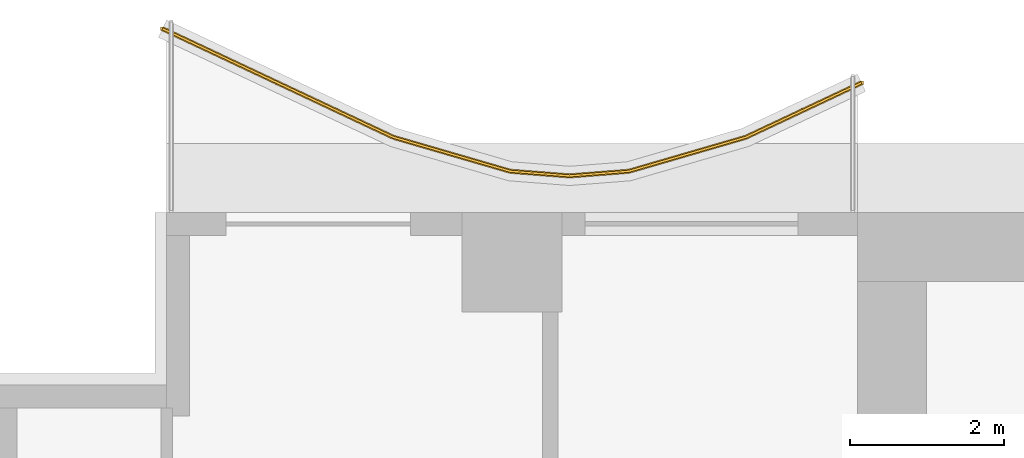
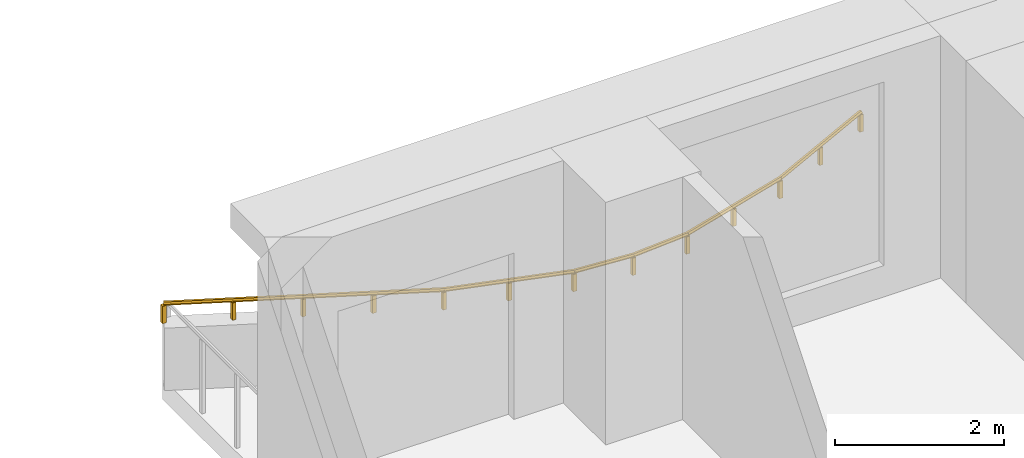
# One storey, part 12 of 13: 1 railing.
"""IFC4 building model written with IfcOpenShell, lengths in metres."""

import ifcopenshell
import ifcopenshell.guid

model = None  # the IFC model being written
_history = None  # IfcOwnerHistory: only IFC2X3 demands one
_inside = {}  # id of a spatial element -> (the spatial element, [elements in it])
_under = {}  # id of a project, library or spatial element -> (it, [spatial elements below it])
_declared = {}  # id of a project -> (the project, [libraries it declares])
_typed = {}  # id of a type object -> (the type object, [elements of that type])
_made_of = {}  # id of a material, layer set ... -> (it, [elements and type objects made of it])


def new_model(schema):
    """Start an empty IFC model of exactly this schema.

    Asked for "IFC4X3", IfcOpenShell would pick the latest addendum, in which some entities
    have other attributes; the version numbers below select the first issue.
    IFC2X3 requires an IfcOwnerHistory on every rooted entity: one is made here for all.
    """
    global model, _history
    if schema == "IFC4X3":
        model = ifcopenshell.file(schema_version=(4, 3, 0, 0))
    else:
        model = ifcopenshell.file(schema=schema)
    _inside.clear()
    _under.clear()
    _declared.clear()
    _typed.clear()
    _made_of.clear()
    _history = None
    if model.schema == "IFC2X3":
        org = make("IfcOrganization", Name="unknown")
        user = make(
            "IfcPersonAndOrganization",
            ThePerson=make("IfcPerson", FamilyName="unknown"),
            TheOrganization=org,
        )
        app = make(
            "IfcApplication",
            ApplicationDeveloper=org,
            Version="unknown",
            ApplicationFullName="unknown",
            ApplicationIdentifier="unknown",
        )
        _history = make(
            "IfcOwnerHistory",
            OwningUser=user,
            OwningApplication=app,
            ChangeAction="ADDED",
            CreationDate=0,
        )
    return model


def make(cls, **values):
    """One entity of the class cls with the attributes given. An attribute that is None is left unset."""
    return model.create_entity(
        cls, **{name: value for name, value in values.items() if value is not None}
    )


def rooted(cls, **values):
    """An entity with a GlobalId (a new one), such as an element, a storey or a relation."""
    return make(cls, GlobalId=ifcopenshell.guid.new(), OwnerHistory=_history, **values)


def si_unit(unit_type, name, prefix=None):
    """IfcSIUnit, for example si_unit("LENGTHUNIT", "METRE", prefix="MILLI")."""
    return make("IfcSIUnit", UnitType=unit_type, Prefix=prefix, Name=name)


def assignment(units):
    """IfcUnitAssignment: the units of a project."""
    return None if units is None else make("IfcUnitAssignment", Units=units)


def point(xyz):
    """IfcCartesianPoint."""
    return None if xyz is None else make("IfcCartesianPoint", Coordinates=xyz)


def direction(xyz):
    """IfcDirection."""
    return None if xyz is None else make("IfcDirection", DirectionRatios=xyz)


def frame(location, z_axis=None, x_axis=None):
    """IfcAxis2Placement3D, a coordinate frame: its origin and axes. An axis left out is left unset."""
    return make(
        "IfcAxis2Placement3D",
        Location=point(location),
        Axis=direction(z_axis),
        RefDirection=direction(x_axis),
    )


def frame_2d(location, x_axis=None):
    """IfcAxis2Placement2D, a coordinate frame in the plane: its origin and x axis."""
    return make(
        "IfcAxis2Placement2D", Location=point(location), RefDirection=direction(x_axis)
    )


def origin():
    """The frame at (0, 0, 0) with its axes left unset."""
    return frame((0.0, 0.0, 0.0))


def origin_2d():
    """The frame at (0, 0) in the plane with its x axis left unset."""
    return frame_2d((0.0, 0.0))


def place(relative_to, where):
    """IfcLocalPlacement: puts the frame where relative to a parent placement (None: the world)."""
    return make(
        "IfcLocalPlacement", PlacementRelTo=relative_to, RelativePlacement=where
    )


def context(
    kind, dimensions, precision=None, world=None, true_north=None, identifier=None
):
    """IfcGeometricRepresentationContext, for example the 3D "Model" context."""
    return make(
        "IfcGeometricRepresentationContext",
        ContextIdentifier=identifier,
        ContextType=kind,
        CoordinateSpaceDimension=dimensions,
        Precision=precision,
        WorldCoordinateSystem=world,
        TrueNorth=true_north,
    )


def subcontext(parent, identifier, kind, view, scale=None):
    """IfcGeometricRepresentationSubContext, for example "Body" below "Model"."""
    return make(
        "IfcGeometricRepresentationSubContext",
        ContextIdentifier=identifier,
        ContextType=kind,
        ParentContext=parent,
        TargetScale=scale,
        TargetView=view,
    )


def project(units=None, contexts=None):
    """IfcProject with its units and contexts."""
    return rooted(
        "IfcProject",
        Name="project",
        RepresentationContexts=contexts,
        UnitsInContext=assignment(units),
    )


def spatial(cls, under=None, at=None, **own):
    """A site, building, storey or space (cls), placed at a placement, below another one or the project."""
    s = rooted(cls, ObjectPlacement=at, **own)
    if under is not None:
        _under.setdefault(under.id(), (under, []))[1].append(s)
    return s


def polyline(points):
    """IfcPolyline through the points."""
    return make("IfcPolyline", Points=[point(p) for p in points])


def profile(cls, at=None, kind="AREA", **sizes):
    """A parametric profile (cls). Its sizes go by their IFC names, for example OverallWidth=200.0."""
    return make(cls, ProfileType=kind, Position=at, **sizes)


def rectangle(**sizes):
    """IfcRectangleProfileDef."""
    return profile("IfcRectangleProfileDef", **sizes)


def outline(outer, holes=None, kind="AREA"):
    """IfcArbitraryClosedProfileDef: a profile drawn as a closed curve; with holes, ...WithVoids."""
    if holes is None:
        return make("IfcArbitraryClosedProfileDef", ProfileType=kind, OuterCurve=outer)
    return make(
        "IfcArbitraryProfileDefWithVoids",
        ProfileType=kind,
        OuterCurve=outer,
        InnerCurves=holes,
    )


def extrude(swept, where, along, depth):
    """IfcExtrudedAreaSolid: the profile swept, set in the frame where, extruded along a direction by depth."""
    return make(
        "IfcExtrudedAreaSolid",
        SweptArea=swept,
        Position=where,
        ExtrudedDirection=direction(along),
        Depth=depth,
    )


def shape(context_of_items, identifier, shape_type, items):
    """IfcShapeRepresentation: the items that make up one representation, for example the "Body"."""
    return make(
        "IfcShapeRepresentation",
        ContextOfItems=context_of_items,
        RepresentationIdentifier=identifier,
        RepresentationType=shape_type,
        Items=items,
    )


def material(Name=None, Category=None):
    """IfcMaterial."""
    return make("IfcMaterial", Name=Name, Category=Category)


def made_of(thing, what):
    """Note that an element or type object is made of a material, layer set ...; save() writes the relation."""
    if what is not None:
        _made_of.setdefault(what.id(), (what, []))[1].append(thing)
    return thing


def type_object(cls, material=None, **own):
    """A type object (cls), such as IfcWallType, which elements share."""
    return made_of(rooted(cls, **own), material)


def element(
    cls,
    number,
    at=None,
    inside=None,
    cuts=None,
    type_object=None,
    material=None,
    context=None,
    identifier="Body",
    shape_type=None,
    held_by="IfcProductDefinitionShape",
    body=None,
    shapes=None,
    **own,
):
    """One element of the class cls, such as IfcWall. Its Tag is "e" and its number.

    at: its placement. inside: the storey or other place that contains it. cuts: it is an
    opening in that element (IfcRelVoidsElement). A single representation is given by context,
    identifier, shape_type and body (its items); several are given by shapes. held_by: the class
    of the entity that holds the representations. save() writes the other relations.
    """
    e = rooted(cls, Tag="e%d" % number, ObjectPlacement=at, **own)
    if body is not None:
        shapes = [shape(context, identifier, shape_type, body)]
    if shapes is not None:
        e.Representation = make(held_by, Representations=shapes)
    if inside is not None:
        _inside.setdefault(inside.id(), (inside, []))[1].append(e)
    if cuts is not None:
        rooted(
            "IfcRelVoidsElement", RelatingBuildingElement=cuts, RelatedOpeningElement=e
        )
    if type_object is not None:
        _typed.setdefault(type_object.id(), (type_object, []))[1].append(e)
    return made_of(e, material)


def aggregate(whole, parts):
    """IfcRelAggregates: a whole, such as a stair, and the parts it consists of."""
    return rooted("IfcRelAggregates", RelatingObject=whole, RelatedObjects=parts)


def save(model, path):
    """Write the relations noted so far, then the file.

    IfcRelAggregates (storeys below a building ...), IfcRelContainedInSpatialStructure (elements
    in a storey), IfcRelDefinesByType, IfcRelAssociatesMaterial and IfcRelDeclares: one each for
    every whole, place, type object, material and project.
    """
    for whole, parts in _under.values():
        aggregate(whole, parts)
    for where, things in _inside.values():
        rooted(
            "IfcRelContainedInSpatialStructure",
            RelatedElements=things,
            RelatingStructure=where,
        )
    for kind, things in _typed.values():
        rooted("IfcRelDefinesByType", RelatedObjects=things, RelatingType=kind)
    for what, things in _made_of.values():
        rooted("IfcRelAssociatesMaterial", RelatedObjects=things, RelatingMaterial=what)
    for by, libraries in _declared.values():
        rooted("IfcRelDeclares", RelatingContext=by, RelatedDefinitions=libraries)
    model.write(path)


model = new_model("IFC4")

# Units and contexts
model_context = context("Model", 3, precision=1e-05, world=origin(), true_north=direction((0.0, 1.0)))
body_context = subcontext(model_context, "Body", "Model", "MODEL_VIEW")
ifc_project = project(units=[si_unit("LENGTHUNIT", "METRE"), si_unit("AREAUNIT", "SQUARE_METRE"), si_unit("VOLUMEUNIT", "CUBIC_METRE"), si_unit("PLANEANGLEUNIT", "RADIAN"), si_unit("MASSUNIT", "GRAM", prefix="KILO")], contexts=[model_context])

# Site, building, storey
site_placement = place(None, origin())
site = spatial("IfcSite", under=ifc_project, at=site_placement, CompositionType="ELEMENT")
building_placement = place(site_placement, origin())
building = spatial("IfcBuilding", under=site, at=building_placement, Name="Orbiselva Terraces", CompositionType="ELEMENT")
storey_placement = place(building_placement, frame((0.0, 0.0, 92.2)))
storey = spatial("IfcBuildingStorey", under=building, at=storey_placement, Name="L23", CompositionType="ELEMENT", Elevation=92.2)

# Railing
ifc_material = material(Name="Bonded two-ply safety glass balustrade, stainless steel posts", Category="steel")
railing_type = type_object("IfcRailingType", Name="ENV-BALUSTRADE-1200", PredefinedType="BALUSTRADE", material=ifc_material)
railing_placement = place(storey_placement, frame((-13.446809, 24.186882, 0.9)))
element("IfcRailing", 1, at=railing_placement, inside=storey, type_object=railing_type, Name="Balcony balustrade L23 NW", PredefinedType="BALUSTRADE", context=body_context, shape_type="SweptSolid", body=[
    extrude(outline(polyline([(0.028868, 0.0), (0.014434, 0.025), (-0.014434, 0.025), (-0.028868, 0.0), (-0.014434, -0.025), (0.014434, -0.025), (0.028868, 0.0)])), frame((0.0, 0.0, 0.275), z_axis=(-0.904944157382, -0.425530342069, 0.0), x_axis=(0.425530342069, -0.904944157382, 0.0)), (0.0, 0.0, 1.0), 1.667376),
    extrude(outline(polyline([(0.028868, 0.0), (0.014434, 0.025), (-0.014434, 0.025), (-0.028868, 0.0), (-0.014434, -0.025), (0.014434, -0.025), (0.028868, 0.0)])), frame((-1.508882, -0.709519, 0.275), z_axis=(-0.960270491427, -0.279070928786, 0.0), x_axis=(0.279070928786, -0.960270491427, 0.0)), (0.0, 0.0, 1.0), 1.584712),
    extrude(outline(polyline([(0.028868, 0.0), (0.014434, 0.025), (-0.014434, 0.025), (-0.028868, 0.0), (-0.014434, -0.025), (0.014434, -0.025), (0.028868, 0.0)])), frame((-3.030634, -1.151766, 0.275), z_axis=(-0.996947796737, -0.078071061106, 0.0), x_axis=(0.078071061106, -0.996947796737, 0.0)), (0.0, 0.0, 1.0), 0.774922),
    extrude(outline(polyline([(0.028868, 0.0), (0.014434, 0.025), (-0.014434, 0.025), (-0.028868, 0.0), (-0.014434, -0.025), (0.014434, -0.025), (0.028868, 0.0)])), frame((-3.803191, -1.212265, 0.275), z_axis=(-0.996947796737, 0.078071061106, 0.0), x_axis=(-0.078071061106, -0.996947796737, 0.0)), (0.0, 0.0, 1.0), 0.774922),
    extrude(outline(polyline([(0.028868, 0.0), (0.014434, 0.025), (-0.014434, 0.025), (-0.028868, 0.0), (-0.014434, -0.025), (0.014434, -0.025), (0.028868, 0.0)])), frame((-4.575748, -1.151766, 0.275), z_axis=(-0.960270491427, 0.279070928786, 0.0), x_axis=(-0.279070928786, -0.960270491427, 0.0)), (0.0, 0.0, 1.0), 1.584712),
    extrude(outline(polyline([(0.028868, 0.0), (0.014434, 0.025), (-0.014434, 0.025), (-0.028868, 0.0), (-0.014434, -0.025), (0.014434, -0.025), (0.028868, 0.0)])), frame((-6.0975, -0.709519, 0.275), z_axis=(-0.904944157382, 0.425530342069, 0.0), x_axis=(-0.425530342069, -0.904944157382, 0.0)), (0.0, 0.0, 1.0), 1.667376),
    extrude(outline(polyline([(0.028868, 0.0), (0.014434, 0.025), (-0.014434, 0.025), (-0.028868, 0.0), (-0.014434, -0.025), (0.014434, -0.025), (0.028868, 0.0)])), frame((-7.606382, 0.0, 0.275), z_axis=(-0.904944257823, 0.425530128467, 0.0), x_axis=(-0.425530128467, -0.904944257823, 0.0)), (0.0, 0.0, 1.0), 1.657561),
    extrude(rectangle(XDim=0.05, YDim=0.05, at=origin_2d()), origin(), (0.0, 0.0, 1.0), 0.25),
    extrude(rectangle(XDim=0.05, YDim=0.05, at=origin_2d()), frame((-0.754441, -0.35476, 0.0)), (0.0, 0.0, 1.0), 0.25),
    extrude(rectangle(XDim=0.05, YDim=0.05, at=origin_2d()), frame((-1.508882, -0.709519, 0.0)), (0.0, 0.0, 1.0), 0.25),
    extrude(rectangle(XDim=0.05, YDim=0.05, at=origin_2d()), frame((-2.269758, -0.930643, 0.0)), (0.0, 0.0, 1.0), 0.25),
    extrude(rectangle(XDim=0.05, YDim=0.05, at=origin_2d()), frame((-3.030634, -1.151766, 0.0)), (0.0, 0.0, 1.0), 0.25),
    extrude(rectangle(XDim=0.05, YDim=0.05, at=origin_2d()), frame((-3.803191, -1.212265, 0.0)), (0.0, 0.0, 1.0), 0.25),
    extrude(rectangle(XDim=0.05, YDim=0.05, at=origin_2d()), frame((-4.575748, -1.151766, 0.0)), (0.0, 0.0, 1.0), 0.25),
    extrude(rectangle(XDim=0.05, YDim=0.05, at=origin_2d()), frame((-5.336624, -0.930643, 0.0)), (0.0, 0.0, 1.0), 0.25),
    extrude(rectangle(XDim=0.05, YDim=0.05, at=origin_2d()), frame((-6.0975, -0.709519, 0.0)), (0.0, 0.0, 1.0), 0.25),
    extrude(rectangle(XDim=0.05, YDim=0.05, at=origin_2d()), frame((-6.851941, -0.35476, 0.0)), (0.0, 0.0, 1.0), 0.25),
    extrude(rectangle(XDim=0.05, YDim=0.05, at=origin_2d()), frame((-7.606382, 0.0, 0.0)), (0.0, 0.0, 1.0), 0.25),
    extrude(rectangle(XDim=0.05, YDim=0.05, at=origin_2d()), frame((-8.356382, 0.352671, 0.0)), (0.0, 0.0, 1.0), 0.25),
    extrude(rectangle(XDim=0.05, YDim=0.05, at=origin_2d()), frame((-9.106382, 0.705342, 0.0)), (0.0, 0.0, 1.0), 0.25),
])

save(model, "model.ifc")
